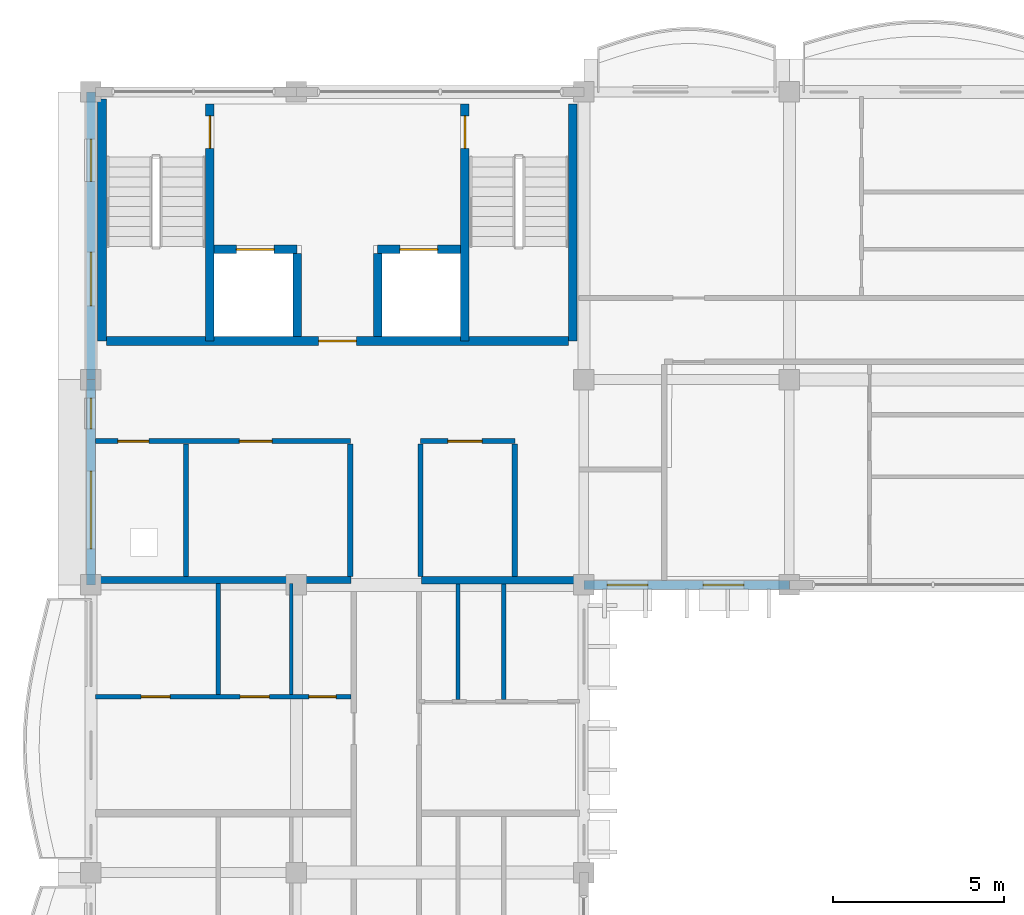
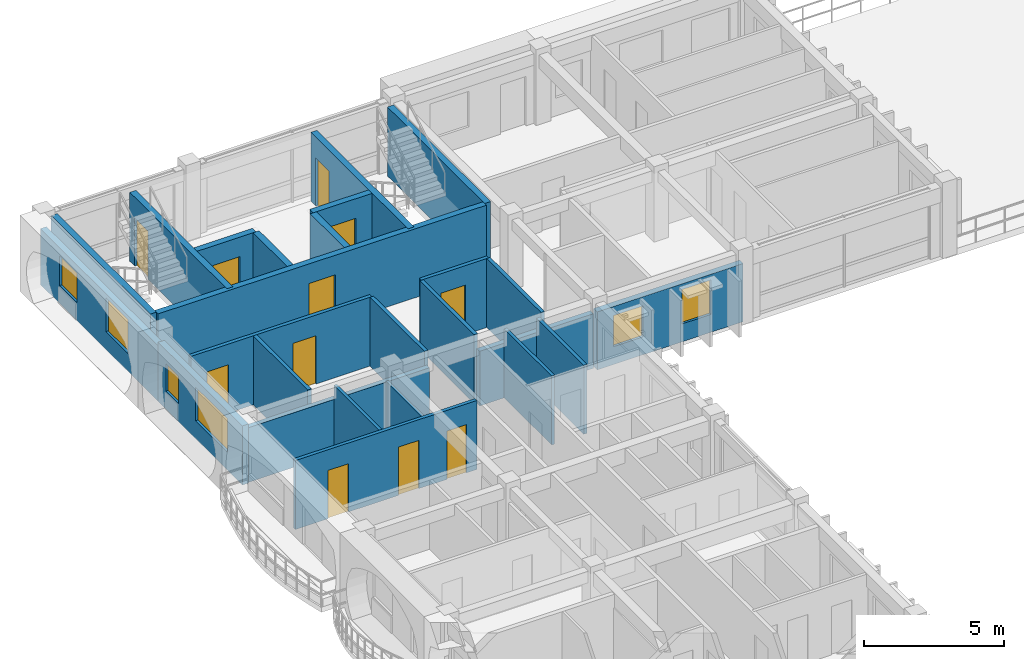
# One storey, part 12 of 31: 25 walls, 11 doors, 6 windows, 17 openings.
"""IFC4 building model written with IfcOpenShell, lengths in metres."""

from ifc_helpers import new_model, si_unit, direction, frame, frame_2d, origin, place, context, subcontext, project, spatial, rectangle, extrude, material, layer, layer_set, type_object, element, fill, save


model = new_model("IFC4")

# Units and contexts
model_context = context("Model", 3, precision=1e-05, world=origin(), true_north=direction((0.0, 1.0)))
body_context = subcontext(model_context, "Body", "Model", "MODEL_VIEW")
ifc_project = project(units=[si_unit("LENGTHUNIT", "METRE"), si_unit("AREAUNIT", "SQUARE_METRE"), si_unit("VOLUMEUNIT", "CUBIC_METRE"), si_unit("PLANEANGLEUNIT", "RADIAN"), si_unit("MASSUNIT", "GRAM", prefix="KILO"), si_unit("THERMODYNAMICTEMPERATUREUNIT", "KELVIN")], contexts=[model_context])

# Site, building, storey
site_placement = place(None, origin())
site = spatial("IfcSite", under=ifc_project, at=site_placement, CompositionType="ELEMENT")
building_placement = place(site_placement, origin())
building = spatial("IfcBuilding", under=site, at=building_placement, Name="Thalorik Housing Commons", CompositionType="ELEMENT")
storey_placement = place(building_placement, frame((0.0, 0.0, 37.800048828125)))
storey = spatial("IfcBuildingStorey", under=building, at=storey_placement, Name="L11", CompositionType="ELEMENT", Elevation=37.800048828125)

# Wall, opening, door
ifc_material_1 = material(Name="Concrete C40/50", Category="concrete")
ifc_layer_1 = layer(ifc_material_1, 0.25, Name="Concrete C40/50", Category="concrete")
ifc_layer_set_1 = layer_set([ifc_layer_1], Name="Concrete C40/50")
wall_type_1 = type_object("IfcWallType", Name="ARC-WAL-CORE-250", PredefinedType="SHEAR", material=ifc_layer_set_1)
wall_1_placement = place(storey_placement, frame((11.875, 123.25, 0.0), z_axis=(0.0, 0.0, 1.0), x_axis=(0.0, -1.0, 0.0)))
wall_1 = element("IfcWall", 1, at=wall_1_placement, inside=storey, type_object=wall_type_1, Name="L11 Core A Stair 1 Shear Wall", PredefinedType="SHEAR", context=body_context, shape_type="SweptSolid", body=[
    extrude(rectangle(XDim=6.925048828125, YDim=0.25, at=frame_2d((3.46240234375, 0.0))), origin(), (0.0, 0.0, 1.0), 3.0),
])
opening_1_placement = place(wall_1_placement, frame((0.35009765625, 0.0, 0.0)))
opening_1 = element("IfcOpeningElement", 2, at=opening_1_placement, cuts=wall_1, Name="Opening ID-0097", PredefinedType="OPENING", context=body_context, shape_type="SweptSolid", body=[
    extrude(rectangle(XDim=0.949951171875, YDim=2.10009765625, at=frame_2d((0.47509765625, 1.050048828125))), frame((0.0, 0.135009765625, 0.0), z_axis=(0.0, -1.0, 0.0), x_axis=(1.0, 0.0, 0.0)), (0.0, 0.0, 1.0), 0.27001953125),
])
ifc_material_2 = material(Name="Steel S355", Category="steel")
door_type_1 = type_object("IfcDoorType", Name="ARC-DR-FD60-950", OperationType="NOTDEFINED", PredefinedType="DOOR", material=ifc_material_2)
door_1_placement = place(opening_1_placement, origin())
door_1 = element("IfcDoor", 3, at=door_1_placement, inside=storey, type_object=door_type_1, Name="L11 Stair ST-A1 Fire Door", OperationType="SINGLE_SWING_RIGHT", OverallHeight=2.10009765625, OverallWidth=0.949951171875, PredefinedType="DOOR", context=body_context, shape_type="SweptSolid", body=[
    extrude(rectangle(XDim=0.949951171875, YDim=2.10009765625, at=frame_2d((0.47509765625, 1.050048828125))), frame((0.0, 0.02490234375, 0.0), z_axis=(0.0, -1.0, 0.0), x_axis=(1.0, 0.0, 0.0)), (0.0, 0.0, 1.0), 0.050048828125),
])
fill(opening_1, door_1)

# Walls
wall_2_placement = place(storey_placement, frame((8.72509765625, 123.39990234375, 0.0), z_axis=(0.0, 0.0, 1.0), x_axis=(0.0, -1.0, 0.0)))
element("IfcWall", 4, at=wall_2_placement, inside=storey, type_object=wall_type_1, Name="L11 Core A Stair 1 Outer Shear Wall", PredefinedType="SHEAR", context=body_context, shape_type="SweptSolid", body=[
    extrude(rectangle(XDim=7.074951171875, YDim=0.25, at=frame_2d((3.53759765625, 0.0))), origin(), (0.0, 0.0, 1.0), 3.0),
])
wall_3_placement = place(storey_placement, frame((22.47509765625, 123.25, 0.0), z_axis=(0.0, 0.0, 1.0), x_axis=(0.0, -1.0, 0.0)))
element("IfcWall", 5, at=wall_3_placement, inside=storey, type_object=wall_type_1, Name="L11 Core A Stair 2 Outer Shear Wall", PredefinedType="SHEAR", context=body_context, shape_type="SweptSolid", body=[
    extrude(rectangle(XDim=6.925048828125, YDim=0.25, at=frame_2d((3.46240234375, 0.0))), origin(), (0.0, 0.0, 1.0), 3.0),
])

# Wall, opening, door
wall_4_placement = place(storey_placement, frame((19.324951171875, 123.25, 0.0), z_axis=(0.0, 0.0, 1.0), x_axis=(0.0, -1.0, 0.0)))
wall_4 = element("IfcWall", 6, at=wall_4_placement, inside=storey, type_object=wall_type_1, Name="L11 Core A Stair 2 Shear Wall", PredefinedType="SHEAR", context=body_context, shape_type="SweptSolid", body=[
    extrude(rectangle(XDim=6.925048828125, YDim=0.25, at=frame_2d((3.46240234375, 0.0))), origin(), (0.0, 0.0, 1.0), 3.0),
])
opening_2_placement = place(wall_4_placement, frame((0.35009765625, 0.0, 0.0)))
opening_2 = element("IfcOpeningElement", 7, at=opening_2_placement, cuts=wall_4, Name="Opening ID-0098", PredefinedType="OPENING", context=body_context, shape_type="SweptSolid", body=[
    extrude(rectangle(XDim=0.949951171875, YDim=2.10009765625, at=frame_2d((0.47509765625, 1.050048828125))), frame((0.0, 0.135009765625, 0.0), z_axis=(0.0, -1.0, 0.0), x_axis=(1.0, 0.0, 0.0)), (0.0, 0.0, 1.0), 0.27001953125),
])
door_2_placement = place(opening_2_placement, origin())
door_2 = element("IfcDoor", 8, at=door_2_placement, inside=storey, type_object=door_type_1, Name="L11 Stair ST-A2 Fire Door", OperationType="SINGLE_SWING_LEFT", OverallHeight=2.10009765625, OverallWidth=0.949951171875, PredefinedType="DOOR", context=body_context, shape_type="SweptSolid", body=[
    extrude(rectangle(XDim=0.949951171875, YDim=2.10009765625, at=frame_2d((0.47509765625, 1.050048828125))), frame((0.0, 0.02490234375, 0.0), z_axis=(0.0, -1.0, 0.0), x_axis=(1.0, 0.0, 0.0)), (0.0, 0.0, 1.0), 0.050048828125),
])
fill(opening_2, door_2)

wall_5_placement = place(storey_placement, frame((12.0, 119.0, 0.0), z_axis=(0.0, 0.0, 1.0), x_axis=(1.0, 0.0, 0.0)))
wall_5 = element("IfcWall", 9, at=wall_5_placement, inside=storey, type_object=wall_type_1, Name="L11 Lift LF-A1 Front Shaft Wall", PredefinedType="SHEAR", context=body_context, shape_type="SweptSolid", body=[
    extrude(rectangle(XDim=2.425048828125, YDim=0.25, at=frame_2d((1.21240234375, 0.0))), origin(), (0.0, 0.0, 1.0), 3.0),
])
opening_3_placement = place(wall_5_placement, frame((0.64990234375, 0.0, 0.0)))
opening_3 = element("IfcOpeningElement", 10, at=opening_3_placement, cuts=wall_5, Name="Opening LD-LF-A1-L11", PredefinedType="OPENING", context=body_context, shape_type="SweptSolid", body=[
    extrude(rectangle(XDim=1.10009765625, YDim=2.14990234375, at=frame_2d((0.550048828125, 1.074951171875))), frame((0.0, 0.135009765625, 0.0), z_axis=(0.0, -1.0, 0.0), x_axis=(1.0, 0.0, 0.0)), (0.0, 0.0, 1.0), 0.27001953125),
])
door_type_2 = type_object("IfcDoorType", Name="ARC-DR-LIFT-1100", OperationType="NOTDEFINED", PredefinedType="DOOR", material=ifc_material_2)
door_3_placement = place(opening_3_placement, origin())
door_3 = element("IfcDoor", 11, at=door_3_placement, inside=storey, type_object=door_type_2, Name="L11 Lift LF-A1 Landing Door", OperationType="SLIDING_TO_LEFT", OverallHeight=2.14990234375, OverallWidth=1.10009765625, PredefinedType="DOOR", context=body_context, shape_type="SweptSolid", body=[
    extrude(rectangle(XDim=1.10009765625, YDim=2.14990234375, at=frame_2d((0.550048828125, 1.074951171875))), frame((0.0, 0.02490234375, 0.0), z_axis=(0.0, -1.0, 0.0), x_axis=(1.0, 0.0, 0.0)), (0.0, 0.0, 1.0), 0.050048828125),
])
fill(opening_3, door_3)

wall_6_placement = place(storey_placement, frame((16.77490234375, 119.0, 0.0), z_axis=(0.0, 0.0, 1.0), x_axis=(1.0, 0.0, 0.0)))
wall_6 = element("IfcWall", 12, at=wall_6_placement, inside=storey, type_object=wall_type_1, Name="L11 Lift LP-A2 Front Shaft Wall", PredefinedType="SHEAR", context=body_context, shape_type="SweptSolid", body=[
    extrude(rectangle(XDim=2.425048828125, YDim=0.25, at=frame_2d((1.21240234375, 0.0))), origin(), (0.0, 0.0, 1.0), 3.0),
])
opening_4_placement = place(wall_6_placement, frame((0.64990234375, 0.0, 0.0)))
opening_4 = element("IfcOpeningElement", 13, at=opening_4_placement, cuts=wall_6, Name="Opening LD-LP-A2-L11", PredefinedType="OPENING", context=body_context, shape_type="SweptSolid", body=[
    extrude(rectangle(XDim=1.10009765625, YDim=2.14990234375, at=frame_2d((0.550048828125, 1.074951171875))), frame((0.0, 0.135009765625, 0.0), z_axis=(0.0, -1.0, 0.0), x_axis=(1.0, 0.0, 0.0)), (0.0, 0.0, 1.0), 0.27001953125),
])
door_4_placement = place(opening_4_placement, origin())
door_4 = element("IfcDoor", 14, at=door_4_placement, inside=storey, type_object=door_type_2, Name="L11 Lift LP-A2 Landing Door", OperationType="SLIDING_TO_LEFT", OverallHeight=2.14990234375, OverallWidth=1.10009765625, PredefinedType="DOOR", context=body_context, shape_type="SweptSolid", body=[
    extrude(rectangle(XDim=1.10009765625, YDim=2.14990234375, at=frame_2d((0.550048828125, 1.074951171875))), frame((0.0, 0.02490234375, 0.0), z_axis=(0.0, -1.0, 0.0), x_axis=(1.0, 0.0, 0.0)), (0.0, 0.0, 1.0), 0.050048828125),
])
fill(opening_4, door_4)

# Walls
for number, where, z_axis, x_axis, name in (
    (15, (14.425048828125, 118.875, 0.0), (0.0, 0.0, 1.0), (0.0, -1.0, 0.0), "L11 Lift 1 Cheek Wall"),
    (16, (16.77490234375, 118.875, 0.0), (0.0, 0.0, 1.0), (0.0, -1.0, 0.0), "L11 Lift 2 Cheek Wall"),
):
    element("IfcWall", number, at=place(storey_placement, frame(where, z_axis=z_axis, x_axis=x_axis)), inside=storey, type_object=wall_type_1, Name=name, PredefinedType="SHEAR", context=body_context, shape_type="SweptSolid", body=[
        extrude(rectangle(XDim=2.425048828125, YDim=0.25, at=frame_2d((1.21240234375, 0.0))), origin(), (0.0, 0.0, 1.0), 3.0),
    ])

# Wall, opening, door
wall_7_placement = place(storey_placement, frame((8.85009765625, 116.324951171875, 0.0), z_axis=(0.0, 0.0, 1.0), x_axis=(1.0, 0.0, 0.0)))
wall_7 = element("IfcWall", 17, at=wall_7_placement, inside=storey, type_object=wall_type_1, Name="L11 Core A Spine Shear Wall", PredefinedType="SHEAR", context=body_context, shape_type="SweptSolid", body=[
    extrude(rectangle(XDim=13.5, YDim=0.25, at=frame_2d((6.75, 0.0))), origin(), (0.0, 0.0, 1.0), 3.0),
])
opening_5_placement = place(wall_7_placement, frame((6.199951171875, 0.0, 0.0)))
opening_5 = element("IfcOpeningElement", 18, at=opening_5_placement, cuts=wall_7, Name="Opening ID-0101", PredefinedType="OPENING", context=body_context, shape_type="SweptSolid", body=[
    extrude(rectangle(XDim=1.10009765625, YDim=2.14990234375, at=frame_2d((0.550048828125, 1.074951171875))), frame((0.0, 0.135009765625, 0.0), z_axis=(0.0, -1.0, 0.0), x_axis=(1.0, 0.0, 0.0)), (0.0, 0.0, 1.0), 0.27001953125),
])
door_type_3 = type_object("IfcDoorType", Name="ARC-DR-FD60-1100", OperationType="NOTDEFINED", PredefinedType="DOOR", material=ifc_material_2)
door_5_placement = place(opening_5_placement, origin())
door_5 = element("IfcDoor", 19, at=door_5_placement, inside=storey, type_object=door_type_3, Name="L11 Core A Lobby Fire Door", OperationType="SINGLE_SWING_RIGHT", OverallHeight=2.14990234375, OverallWidth=1.10009765625, PredefinedType="DOOR", context=body_context, shape_type="SweptSolid", body=[
    extrude(rectangle(XDim=1.10009765625, YDim=2.14990234375, at=frame_2d((0.550048828125, 1.074951171875))), frame((0.0, 0.02490234375, 0.0), z_axis=(0.0, -1.0, 0.0), x_axis=(1.0, 0.0, 0.0)), (0.0, 0.0, 1.0), 0.050048828125),
])
fill(opening_5, door_5)

# Wall, openings, windows
ifc_material_3 = material(Name="White precast concrete C40/50", Category="concrete")
ifc_layer_2 = layer(ifc_material_3, 0.2548828125, Name="White precast concrete C40/50", Category="concrete")
ifc_layer_set_2 = layer_set([ifc_layer_2], Name="White precast concrete C40/50")
wall_type_2 = type_object("IfcWallType", Name="ARC-WAL-EXT-255", PredefinedType="STANDARD", material=ifc_layer_set_2)
wall_8_placement = place(storey_placement, frame((22.800048828125, 109.199951171875, 0.0), z_axis=(0.0, 0.0, 1.0), x_axis=(1.0, 0.0, 0.0)))
wall_8 = element("IfcWall", 20, at=wall_8_placement, inside=storey, type_object=wall_type_2, Name="L11 Exterior Wall WAL-EXT-L11-A-0279", PredefinedType="STANDARD", context=body_context, shape_type="SweptSolid", body=[
    extrude(rectangle(XDim=6.0, YDim=0.2548828125, at=frame_2d((3.0, 0.0))), origin(), (0.0, 0.0, 1.0), 2.52490234375),
])
opening_6_placement = place(wall_8_placement, frame((0.669921875, 0.0, 0.780029296875)))
opening_6 = element("IfcOpeningElement", 21, at=opening_6_placement, cuts=wall_8, Name="Opening W-04", PredefinedType="OPENING", context=body_context, shape_type="SweptSolid", body=[
    extrude(rectangle(XDim=1.199951171875, YDim=1.35009765625, at=frame_2d((0.60009765625, 0.675048828125))), frame((0.0, 0.137451171875, 0.0), z_axis=(0.0, -1.0, 0.0), x_axis=(1.0, 0.0, 0.0)), (0.0, 0.0, 1.0), 0.27490234375),
])
opening_7_placement = place(wall_8_placement, frame((3.47998046875, 0.0, 0.780029296875)))
opening_7 = element("IfcOpeningElement", 22, at=opening_7_placement, cuts=wall_8, Name="Opening W-05", PredefinedType="OPENING", context=body_context, shape_type="SweptSolid", body=[
    extrude(rectangle(XDim=1.199951171875, YDim=1.5, at=frame_2d((0.60009765625, 0.75))), frame((0.0, 0.137451171875, 0.0), z_axis=(0.0, -1.0, 0.0), x_axis=(1.0, 0.0, 0.0)), (0.0, 0.0, 1.0), 0.27490234375),
])
ifc_material_4 = material(Name="Anodised aluminium and solar-control low-E glass", Category="aluminium")
window_type_1 = type_object("IfcWindowType", Name="ARC-WIN-04", PartitioningType="SINGLE_PANEL", PredefinedType="WINDOW", material=ifc_material_4)
window_1_placement = place(opening_6_placement, origin())
window_1 = element("IfcWindow", 23, at=window_1_placement, inside=storey, type_object=window_type_1, Name="L11 Facade Window 507", OverallHeight=1.35009765625, OverallWidth=1.199951171875, PartitioningType="SINGLE_PANEL", PredefinedType="WINDOW", context=body_context, shape_type="SweptSolid", body=[
    extrude(rectangle(XDim=1.199951171875, YDim=1.35009765625, at=frame_2d((0.60009765625, 0.675048828125))), frame((0.0, 0.030029296875, 0.0), z_axis=(0.0, -1.0, 0.0), x_axis=(1.0, 0.0, 0.0)), (0.0, 0.0, 1.0), 0.06005859375),
])
fill(opening_6, window_1)
window_type_2 = type_object("IfcWindowType", Name="ARC-WIN-05", PartitioningType="SINGLE_PANEL", PredefinedType="WINDOW", material=ifc_material_4)
window_2_placement = place(opening_7_placement, origin())
window_2 = element("IfcWindow", 24, at=window_2_placement, inside=storey, type_object=window_type_2, Name="L11 Facade Window 508", OverallHeight=1.5, OverallWidth=1.199951171875, PartitioningType="SINGLE_PANEL", PredefinedType="WINDOW", context=body_context, shape_type="SweptSolid", body=[
    extrude(rectangle(XDim=1.199951171875, YDim=1.5, at=frame_2d((0.60009765625, 0.75))), frame((0.0, 0.030029296875, 0.0), z_axis=(0.0, -1.0, 0.0), x_axis=(1.0, 0.0, 0.0)), (0.0, 0.0, 1.0), 0.06005859375),
])
fill(opening_7, window_2)

wall_9_placement = place(storey_placement, frame((8.39990234375, 123.60009765625, 0.0), z_axis=(0.0, 0.0, 1.0), x_axis=(0.0, -1.0, 0.0)))
wall_9 = element("IfcWall", 25, at=wall_9_placement, inside=storey, type_object=wall_type_2, Name="L11 Exterior Wall WAL-EXT-L11-A-0287", PredefinedType="STANDARD", context=body_context, shape_type="SweptSolid", body=[
    extrude(rectangle(XDim=8.400146484375, YDim=0.2548828125, at=frame_2d((4.2001953125, 0.0))), origin(), (0.0, 0.0, 1.0), 2.425048828125),
])
opening_8_placement = place(wall_9_placement, frame((1.371337890625, 0.0, 0.780029296875)))
opening_8 = element("IfcOpeningElement", 26, at=opening_8_placement, cuts=wall_9, Name="Opening W-46", PredefinedType="OPENING", context=body_context, shape_type="SweptSolid", body=[
    extrude(rectangle(XDim=1.25, YDim=1.300048828125, at=frame_2d((0.625, 0.64990234375))), frame((0.0, 0.137451171875, 0.0), z_axis=(0.0, -1.0, 0.0), x_axis=(1.0, 0.0, 0.0)), (0.0, 0.0, 1.0), 0.27490234375),
])
opening_9_placement = place(wall_9_placement, frame((4.6787109375, 0.0, 0.780029296875)))
opening_9 = element("IfcOpeningElement", 27, at=opening_9_placement, cuts=wall_9, Name="Opening W-53", PredefinedType="OPENING", context=body_context, shape_type="SweptSolid", body=[
    extrude(rectangle(XDim=1.580078125, YDim=1.47998046875, at=frame_2d((0.7900390625, 0.739990234375))), frame((0.0, 0.137451171875, 0.0), z_axis=(0.0, -1.0, 0.0), x_axis=(1.0, 0.0, 0.0)), (0.0, 0.0, 1.0), 0.27490234375),
])
window_type_3 = type_object("IfcWindowType", Name="ARC-WIN-46", PartitioningType="SINGLE_PANEL", PredefinedType="WINDOW", material=ifc_material_4)
window_3_placement = place(opening_8_placement, origin())
window_3 = element("IfcWindow", 28, at=window_3_placement, inside=storey, type_object=window_type_3, Name="L11 Facade Window 515", OverallHeight=1.300048828125, OverallWidth=1.25, PartitioningType="SINGLE_PANEL", PredefinedType="WINDOW", context=body_context, shape_type="SweptSolid", body=[
    extrude(rectangle(XDim=1.25, YDim=1.300048828125, at=frame_2d((0.625, 0.64990234375))), frame((0.0, 0.030029296875, 0.0), z_axis=(0.0, -1.0, 0.0), x_axis=(1.0, 0.0, 0.0)), (0.0, 0.0, 1.0), 0.06005859375),
])
fill(opening_8, window_3)
window_type_4 = type_object("IfcWindowType", Name="ARC-WIN-53", PartitioningType="SINGLE_PANEL", PredefinedType="WINDOW", material=ifc_material_4)
window_4_placement = place(opening_9_placement, origin())
window_4 = element("IfcWindow", 29, at=window_4_placement, inside=storey, type_object=window_type_4, Name="L11 Facade Window 516", OverallHeight=1.47998046875, OverallWidth=1.580078125, PartitioningType="SINGLE_PANEL", PredefinedType="WINDOW", context=body_context, shape_type="SweptSolid", body=[
    extrude(rectangle(XDim=1.580078125, YDim=1.47998046875, at=frame_2d((0.7900390625, 0.739990234375))), frame((0.0, 0.030029296875, 0.0), z_axis=(0.0, -1.0, 0.0), x_axis=(1.0, 0.0, 0.0)), (0.0, 0.0, 1.0), 0.06005859375),
])
fill(opening_9, window_4)

wall_10_placement = place(storey_placement, frame((8.39990234375, 115.199951171875, 0.0), z_axis=(0.0, 0.0, 1.0), x_axis=(0.0, -1.0, 0.0)))
wall_10 = element("IfcWall", 30, at=wall_10_placement, inside=storey, type_object=wall_type_2, Name="L11 Exterior Wall WAL-EXT-L11-A-0288", PredefinedType="STANDARD", context=body_context, shape_type="SweptSolid", body=[
    extrude(rectangle(XDim=6.0, YDim=0.2548828125, at=frame_2d((3.0, 0.0))), origin(), (0.0, 0.0, 1.0), 2.574951171875),
])
opening_10_placement = place(wall_10_placement, frame((0.544921875, 0.0, 0.780029296875)))
opening_10 = element("IfcOpeningElement", 31, at=opening_10_placement, cuts=wall_10, Name="Opening W-01", PredefinedType="OPENING", context=body_context, shape_type="SweptSolid", body=[
    extrude(rectangle(XDim=0.89990234375, YDim=1.199951171875, at=frame_2d((0.449951171875, 0.60009765625))), frame((0.0, 0.137451171875, 0.0), z_axis=(0.0, -1.0, 0.0), x_axis=(1.0, 0.0, 0.0)), (0.0, 0.0, 1.0), 0.27490234375),
])
opening_11_placement = place(wall_10_placement, frame((2.6650390625, 0.0, 0.780029296875)))
opening_11 = element("IfcOpeningElement", 32, at=opening_11_placement, cuts=wall_10, Name="Opening W-67", PredefinedType="OPENING", context=body_context, shape_type="SweptSolid", body=[
    extrude(rectangle(XDim=2.280029296875, YDim=1.4599609375, at=frame_2d((1.14013671875, 0.72998046875))), frame((0.0, 0.137451171875, 0.0), z_axis=(0.0, -1.0, 0.0), x_axis=(1.0, 0.0, 0.0)), (0.0, 0.0, 1.0), 0.27490234375),
])
window_type_5 = type_object("IfcWindowType", Name="ARC-WIN-01", PartitioningType="SINGLE_PANEL", PredefinedType="WINDOW", material=ifc_material_4)
window_5_placement = place(opening_10_placement, origin())
window_5 = element("IfcWindow", 33, at=window_5_placement, inside=storey, type_object=window_type_5, Name="L11 Facade Window 517", OverallHeight=1.199951171875, OverallWidth=0.89990234375, PartitioningType="SINGLE_PANEL", PredefinedType="WINDOW", context=body_context, shape_type="SweptSolid", body=[
    extrude(rectangle(XDim=0.89990234375, YDim=1.199951171875, at=frame_2d((0.449951171875, 0.60009765625))), frame((0.0, 0.030029296875, 0.0), z_axis=(0.0, -1.0, 0.0), x_axis=(1.0, 0.0, 0.0)), (0.0, 0.0, 1.0), 0.06005859375),
])
fill(opening_10, window_5)
window_type_6 = type_object("IfcWindowType", Name="ARC-WIN-67", PartitioningType="DOUBLE_PANEL_VERTICAL", PredefinedType="WINDOW", material=ifc_material_4)
window_6_placement = place(opening_11_placement, origin())
window_6 = element("IfcWindow", 34, at=window_6_placement, inside=storey, type_object=window_type_6, Name="L11 Facade Window 518", OverallHeight=1.4599609375, OverallWidth=2.280029296875, PartitioningType="DOUBLE_PANEL_VERTICAL", PredefinedType="WINDOW", context=body_context, shape_type="SweptSolid", body=[
    extrude(rectangle(XDim=2.280029296875, YDim=1.4599609375, at=frame_2d((1.14013671875, 0.72998046875))), frame((0.0, 0.030029296875, 0.0), z_axis=(0.0, -1.0, 0.0), x_axis=(1.0, 0.0, 0.0)), (0.0, 0.0, 1.0), 0.06005859375),
])
fill(opening_11, window_6)

# Walls
ifc_material_5 = material(Name="Gypsum moisture-resistant partition", Category="masonry")
ifc_layer_3 = layer(ifc_material_5, 0.114990234375, Name="Gypsum moisture-resistant partition", Category="masonry")
ifc_layer_set_3 = layer_set([ifc_layer_3], Name="Gypsum moisture-resistant partition")
wall_type_3 = type_object("IfcWallType", Name="ARC-WAL-PART-115", PredefinedType="PARTITIONING", material=ifc_layer_set_3)
wall_11_placement = place(storey_placement, frame((14.251220703125, 106.007080078125, 0.0), z_axis=(0.0, 0.0, 1.0), x_axis=(0.0, 1.0, 0.0)))
element("IfcWall", 35, at=wall_11_placement, inside=storey, type_object=wall_type_3, Name="L11 Unit 3 Wet Wall", PredefinedType="PARTITIONING", context=body_context, shape_type="SweptSolid", body=[
    extrude(rectangle(XDim=3.23095703125, YDim=0.114990234375, at=frame_2d((1.615478515625, 0.0))), origin(), (0.0, 0.0, 1.0), 2.425048828125),
])
ifc_material_6 = material(Name="Gypsum acoustic stud partition", Category="masonry")
ifc_layer_4 = layer(ifc_material_6, 0.125, Name="Gypsum acoustic stud partition", Category="masonry")
ifc_layer_set_4 = layer_set([ifc_layer_4], Name="Gypsum acoustic stud partition")
wall_type_4 = type_object("IfcWallType", Name="ARC-WAL-PART-125", PredefinedType="PARTITIONING", material=ifc_layer_set_4)
wall_12_placement = place(storey_placement, frame((12.11767578125, 106.007080078125, 0.0), z_axis=(0.0, 0.0, 1.0), x_axis=(0.0, 1.0, 0.0)))
element("IfcWall", 36, at=wall_12_placement, inside=storey, type_object=wall_type_4, Name="L11 Unit 3 Bedroom Partition", PredefinedType="PARTITIONING", context=body_context, shape_type="SweptSolid", body=[
    extrude(rectangle(XDim=3.23095703125, YDim=0.125, at=frame_2d((1.615478515625, 0.0))), origin(), (0.0, 0.0, 1.0), 3.0),
])
wall_13_placement = place(storey_placement, frame((19.122314453125, 105.850830078125, 0.0), z_axis=(0.0, 0.0, 1.0), x_axis=(0.0, 1.0, 0.0)))
element("IfcWall", 37, at=wall_13_placement, inside=storey, type_object=wall_type_4, Name="L11 Unit 3B Wet Wall", PredefinedType="PARTITIONING", context=body_context, shape_type="SweptSolid", body=[
    extrude(rectangle(XDim=3.377197265625, YDim=0.125, at=frame_2d((1.6884765625, 0.0))), origin(), (0.0, 0.0, 1.0), 3.0),
])

# Wall, openings, doors
ifc_material_7 = material(Name="Ceramic masonry partition wall", Category="masonry")
ifc_layer_5 = layer(ifc_material_7, 0.139892578125, Name="Ceramic masonry partition wall", Category="masonry")
ifc_layer_set_5 = layer_set([ifc_layer_5], Name="Ceramic masonry partition wall")
wall_type_5 = type_object("IfcWallType", Name="ARC-WAL-PART-140", PredefinedType="PARTITIONING", material=ifc_layer_set_5)
wall_14_placement = place(storey_placement, frame((8.529541015625, 105.93505859375, 0.0), z_axis=(0.0, 0.0, 1.0), x_axis=(1.0, 0.0, 0.0)))
wall_14 = element("IfcWall", 38, at=wall_14_placement, inside=storey, type_object=wall_type_5, Name="L11 Unit 3 Spine Partition", PredefinedType="PARTITIONING", context=body_context, shape_type="SweptSolid", body=[
    extrude(rectangle(XDim=7.466064453125, YDim=0.139892578125, at=frame_2d((3.73291015625, 0.0))), origin(), (0.0, 0.0, 1.0), 3.0),
])
opening_12_placement = place(wall_14_placement, frame((1.334228515625, 0.0, 0.0)))
opening_12 = element("IfcOpeningElement", 39, at=opening_12_placement, cuts=wall_14, Name="Opening ID-0881", PredefinedType="OPENING", context=body_context, shape_type="SweptSolid", body=[
    extrude(rectangle(XDim=0.85009765625, YDim=2.10009765625, at=frame_2d((0.425048828125, 1.050048828125))), frame((0.0, 0.080078125, 0.0), z_axis=(0.0, -1.0, 0.0), x_axis=(1.0, 0.0, 0.0)), (0.0, 0.0, 1.0), 0.159912109375),
])
opening_13_placement = place(wall_14_placement, frame((4.22998046875, 0.0, 0.0)))
opening_13 = element("IfcOpeningElement", 40, at=opening_13_placement, cuts=wall_14, Name="Opening ID-0882", PredefinedType="OPENING", context=body_context, shape_type="SweptSolid", body=[
    extrude(rectangle(XDim=0.85009765625, YDim=2.10009765625, at=frame_2d((0.425048828125, 1.050048828125))), frame((0.0, 0.080078125, 0.0), z_axis=(0.0, -1.0, 0.0), x_axis=(1.0, 0.0, 0.0)), (0.0, 0.0, 1.0), 0.159912109375),
])
opening_14_placement = place(wall_14_placement, frame((6.236083984375, 0.0, 0.0)))
opening_14 = element("IfcOpeningElement", 41, at=opening_14_placement, cuts=wall_14, Name="Opening ID-0883", PredefinedType="OPENING", context=body_context, shape_type="SweptSolid", body=[
    extrude(rectangle(XDim=0.800048828125, YDim=2.10009765625, at=frame_2d((0.39990234375, 1.050048828125))), frame((0.0, 0.080078125, 0.0), z_axis=(0.0, -1.0, 0.0), x_axis=(1.0, 0.0, 0.0)), (0.0, 0.0, 1.0), 0.159912109375),
])
ifc_material_8 = material(Name="Moisture-resistant timber", Category="wood")
door_type_4 = type_object("IfcDoorType", Name="ARC-DR-INT-800", OperationType="NOTDEFINED", PredefinedType="DOOR", material=ifc_material_8)
door_6_placement = place(opening_14_placement, origin())
door_6 = element("IfcDoor", 42, at=door_6_placement, inside=storey, type_object=door_type_4, Name="L11 Flat Bathroom Door", OperationType="SINGLE_SWING_RIGHT", OverallHeight=2.10009765625, OverallWidth=0.800048828125, PredefinedType="DOOR", context=body_context, shape_type="SweptSolid", body=[
    extrude(rectangle(XDim=0.800048828125, YDim=2.10009765625, at=frame_2d((0.39990234375, 1.050048828125))), frame((0.0, 0.02490234375, 0.0), z_axis=(0.0, -1.0, 0.0), x_axis=(1.0, 0.0, 0.0)), (0.0, 0.0, 1.0), 0.050048828125),
])
fill(opening_14, door_6)
ifc_material_9 = material(Name="Engineered oak timber", Category="wood")
door_type_5 = type_object("IfcDoorType", Name="ARC-DR-INT-850", OperationType="NOTDEFINED", PredefinedType="DOOR", material=ifc_material_9)
door_7_placement = place(opening_12_placement, origin())
door_7 = element("IfcDoor", 43, at=door_7_placement, inside=storey, type_object=door_type_5, Name="L11 Double Bedroom Door", OperationType="SINGLE_SWING_RIGHT", OverallHeight=2.10009765625, OverallWidth=0.85009765625, PredefinedType="DOOR", context=body_context, shape_type="SweptSolid", body=[
    extrude(rectangle(XDim=0.85009765625, YDim=2.10009765625, at=frame_2d((0.425048828125, 1.050048828125))), frame((0.0, 0.02490234375, 0.0), z_axis=(0.0, -1.0, 0.0), x_axis=(1.0, 0.0, 0.0)), (0.0, 0.0, 1.0), 0.050048828125),
])
fill(opening_12, door_7)
door_8_placement = place(opening_13_placement, origin())
door_8 = element("IfcDoor", 44, at=door_8_placement, inside=storey, type_object=door_type_5, Name="L11 Galley Kitchen Door", OperationType="SINGLE_SWING_LEFT", OverallHeight=2.10009765625, OverallWidth=0.85009765625, PredefinedType="DOOR", context=body_context, shape_type="SweptSolid", body=[
    extrude(rectangle(XDim=0.85009765625, YDim=2.10009765625, at=frame_2d((0.425048828125, 1.050048828125))), frame((0.0, 0.02490234375, 0.0), z_axis=(0.0, -1.0, 0.0), x_axis=(1.0, 0.0, 0.0)), (0.0, 0.0, 1.0), 0.050048828125),
])
fill(opening_13, door_8)

# Walls
wall_15_placement = place(storey_placement, frame((20.455078125, 105.850830078125, 0.0), z_axis=(0.0, 0.0, 1.0), x_axis=(0.0, 1.0, 0.0)))
element("IfcWall", 45, at=wall_15_placement, inside=storey, type_object=wall_type_5, Name="L11 Unit 3B Bedroom Partition", PredefinedType="PARTITIONING", context=body_context, shape_type="SweptSolid", body=[
    extrude(rectangle(XDim=3.377197265625, YDim=0.139892578125, at=frame_2d((1.6884765625, 0.0))), origin(), (0.0, 0.0, 1.0), 3.0),
])
ifc_layer_6 = layer(ifc_material_7, 0.14794921875, Name="Ceramic masonry partition wall", Category="masonry")
ifc_layer_set_6 = layer_set([ifc_layer_6], Name="Ceramic masonry partition wall")
wall_type_6 = type_object("IfcWallType", Name="ARC-WAL-PART-150", PredefinedType="PARTITIONING", material=ifc_layer_set_6)
for number, where, z_axis, x_axis, name in (
    (46, (11.175048828125, 113.323974609375, 0.0), (0.0, 0.0, 1.0), (0.0, -1.0, 0.0), "Riser Wall"),
    (47, (15.97509765625, 113.323974609375, 0.0), (0.0, 0.0, 1.0), (0.0, -1.0, 0.0), "Core Stem West Cheek Wall"),
):
    element("IfcWall", number, at=place(storey_placement, frame(where, z_axis=z_axis, x_axis=x_axis)), inside=storey, type_object=wall_type_6, Name=name, PredefinedType="PARTITIONING", context=body_context, shape_type="SweptSolid", body=[
        extrude(rectangle(XDim=3.882080078125, YDim=0.14794921875, at=frame_2d((1.94091796875, 0.0))), origin(), (0.0, 0.0, 1.0), 3.0),
    ])
for number, where, z_axis, x_axis, name in (
    (48, (18.02490234375, 113.323974609375, 0.0), (0.0, 0.0, 1.0), (0.0, -1.0, 0.0), "Core Stem East Cheek Wall"),
    (49, (20.780029296875, 113.323974609375, 0.0), (0.0, 0.0, 1.0), (0.0, -1.0, 0.0), "Core East Enclosing Wall"),
):
    element("IfcWall", number, at=place(storey_placement, frame(where, z_axis=z_axis, x_axis=x_axis)), inside=storey, type_object=wall_type_6, Name=name, PredefinedType="PARTITIONING", context=body_context, shape_type="SweptSolid", body=[
        extrude(rectangle(XDim=3.8720703125, YDim=0.14794921875, at=frame_2d((1.93603515625, 0.0))), origin(), (0.0, 0.0, 1.0), 3.0),
    ])

# Wall, openings, doors
wall_16_placement = place(storey_placement, frame((8.5400390625, 113.39990234375, 0.0), z_axis=(0.0, 0.0, 1.0), x_axis=(1.0, 0.0, 0.0)))
wall_16 = element("IfcWall", 50, at=wall_16_placement, inside=storey, type_object=wall_type_6, Name="L11 Core A West Corridor Partition", PredefinedType="PARTITIONING", context=body_context, shape_type="SweptSolid", body=[
    extrude(rectangle(XDim=7.43505859375, YDim=0.14794921875, at=frame_2d((3.717529296875, 0.0))), origin(), (0.0, 0.0, 1.0), 3.0),
])
opening_15_placement = place(wall_16_placement, frame((0.64990234375, 0.0, 0.0)))
opening_15 = element("IfcOpeningElement", 51, at=opening_15_placement, cuts=wall_16, Name="Opening ID-0102", PredefinedType="OPENING", context=body_context, shape_type="SweptSolid", body=[
    extrude(rectangle(XDim=0.89990234375, YDim=2.10009765625, at=frame_2d((0.449951171875, 1.050048828125))), frame((0.0, 0.083984375, 0.0), z_axis=(0.0, -1.0, 0.0), x_axis=(1.0, 0.0, 0.0)), (0.0, 0.0, 1.0), 0.16796875),
])
opening_16_placement = place(wall_16_placement, frame((4.199951171875, 0.0, 0.0)))
opening_16 = element("IfcOpeningElement", 52, at=opening_16_placement, cuts=wall_16, Name="Opening ID-0103", PredefinedType="OPENING", context=body_context, shape_type="SweptSolid", body=[
    extrude(rectangle(XDim=0.949951171875, YDim=2.10009765625, at=frame_2d((0.47509765625, 1.050048828125))), frame((0.0, 0.083984375, 0.0), z_axis=(0.0, -1.0, 0.0), x_axis=(1.0, 0.0, 0.0)), (0.0, 0.0, 1.0), 0.16796875),
])
door_type_6 = type_object("IfcDoorType", Name="ARC-DR-FD60-900", OperationType="NOTDEFINED", PredefinedType="DOOR", material=ifc_material_2)
door_9_placement = place(opening_15_placement, origin())
door_9 = element("IfcDoor", 53, at=door_9_placement, inside=storey, type_object=door_type_6, Name="Electrical Riser Door", OperationType="SINGLE_SWING_LEFT", OverallHeight=2.10009765625, OverallWidth=0.89990234375, PredefinedType="DOOR", context=body_context, shape_type="SweptSolid", body=[
    extrude(rectangle(XDim=0.89990234375, YDim=2.10009765625, at=frame_2d((0.449951171875, 1.050048828125))), frame((0.0, 0.02490234375, 0.0), z_axis=(0.0, -1.0, 0.0), x_axis=(1.0, 0.0, 0.0)), (0.0, 0.0, 1.0), 0.050048828125),
])
fill(opening_15, door_9)
door_type_7 = type_object("IfcDoorType", Name="ARC-DR-INT-950", OperationType="NOTDEFINED", PredefinedType="DOOR", material=ifc_material_9)
door_10_placement = place(opening_16_placement, origin())
door_10 = element("IfcDoor", 54, at=door_10_placement, inside=storey, type_object=door_type_7, Name="Accessible Bathroom Door", OperationType="SINGLE_SWING_RIGHT", OverallHeight=2.10009765625, OverallWidth=0.949951171875, PredefinedType="DOOR", context=body_context, shape_type="SweptSolid", body=[
    extrude(rectangle(XDim=0.949951171875, YDim=2.10009765625, at=frame_2d((0.47509765625, 1.050048828125))), frame((0.0, 0.02490234375, 0.0), z_axis=(0.0, -1.0, 0.0), x_axis=(1.0, 0.0, 0.0)), (0.0, 0.0, 1.0), 0.050048828125),
])
fill(opening_16, door_10)

# Wall, opening, door
wall_17_placement = place(storey_placement, frame((18.02490234375, 113.39990234375, 0.0), z_axis=(0.0, 0.0, 1.0), x_axis=(1.0, 0.0, 0.0)))
wall_17 = element("IfcWall", 55, at=wall_17_placement, inside=storey, type_object=wall_type_6, Name="L11 Core A East Corridor Partition", PredefinedType="PARTITIONING", context=body_context, shape_type="SweptSolid", body=[
    extrude(rectangle(XDim=2.755126953125, YDim=0.14794921875, at=frame_2d((1.37744140625, 0.0))), origin(), (0.0, 0.0, 1.0), 3.0),
])
opening_17_placement = place(wall_17_placement, frame((0.800048828125, 0.0, 0.0)))
opening_17 = element("IfcOpeningElement", 56, at=opening_17_placement, cuts=wall_17, Name="Opening ID-0104", PredefinedType="OPENING", context=body_context, shape_type="SweptSolid", body=[
    extrude(rectangle(XDim=1.0, YDim=2.14990234375, at=frame_2d((0.5, 1.074951171875))), frame((0.0, 0.083984375, 0.0), z_axis=(0.0, -1.0, 0.0), x_axis=(1.0, 0.0, 0.0)), (0.0, 0.0, 1.0), 0.16796875),
])
door_type_8 = type_object("IfcDoorType", Name="ARC-DR-FD60-1000", OperationType="NOTDEFINED", PredefinedType="DOOR", material=ifc_material_2)
door_11_placement = place(opening_17_placement, origin())
door_11 = element("IfcDoor", 57, at=door_11_placement, inside=storey, type_object=door_type_8, Name="Core Hub Room Door", OperationType="SINGLE_SWING_LEFT", OverallHeight=2.14990234375, OverallWidth=1.0, PredefinedType="DOOR", context=body_context, shape_type="SweptSolid", body=[
    extrude(rectangle(XDim=1.0, YDim=2.14990234375, at=frame_2d((0.5, 1.074951171875))), frame((0.0, 0.02490234375, 0.0), z_axis=(0.0, -1.0, 0.0), x_axis=(1.0, 0.0, 0.0)), (0.0, 0.0, 1.0), 0.050048828125),
])
fill(opening_17, door_11)

# Walls
ifc_material_10 = material(Name="Precast concrete C40/50 acoustic wall", Category="concrete")
ifc_layer_7 = layer(ifc_material_10, 0.199951171875, Name="Precast concrete C40/50 acoustic wall", Category="concrete")
ifc_layer_set_7 = layer_set([ifc_layer_7], Name="Precast concrete C40/50 acoustic wall")
wall_type_7 = type_object("IfcWallType", Name="ARC-WAL-PARTY-200", PredefinedType="PARTITIONING", material=ifc_layer_set_7)
wall_18_placement = place(storey_placement, frame((8.529541015625, 109.340087890625, 0.0), z_axis=(0.0, 0.0, 1.0), x_axis=(1.0, 0.0, 0.0)))
element("IfcWall", 58, at=wall_18_placement, inside=storey, type_object=wall_type_7, Name="L11 Core End Wall A", PredefinedType="PARTITIONING", context=body_context, shape_type="SweptSolid", body=[
    extrude(rectangle(XDim=7.466064453125, YDim=0.199951171875, at=frame_2d((3.73291015625, 0.0))), origin(), (0.0, 0.0, 1.0), 2.375),
])
ifc_layer_8 = layer(ifc_material_10, 0.219970703125, Name="Precast concrete C40/50 acoustic wall", Category="concrete")
ifc_layer_set_8 = layer_set([ifc_layer_8], Name="Precast concrete C40/50 acoustic wall")
wall_type_8 = type_object("IfcWallType", Name="ARC-WAL-PARTY-220", PredefinedType="PARTITIONING", material=ifc_layer_set_8)
wall_19_placement = place(storey_placement, frame((18.056884765625, 109.340087890625, 0.0), z_axis=(0.0, 0.0, 1.0), x_axis=(1.0, 0.0, 0.0)))
element("IfcWall", 59, at=wall_19_placement, inside=storey, type_object=wall_type_8, Name="L11 Core End Wall B", PredefinedType="PARTITIONING", context=body_context, shape_type="SweptSolid", body=[
    extrude(rectangle(XDim=4.68310546875, YDim=0.219970703125, at=frame_2d((2.341552734375, 0.0))), origin(), (0.0, 0.0, 1.0), 2.375),
])

save(model, "model.ifc")
